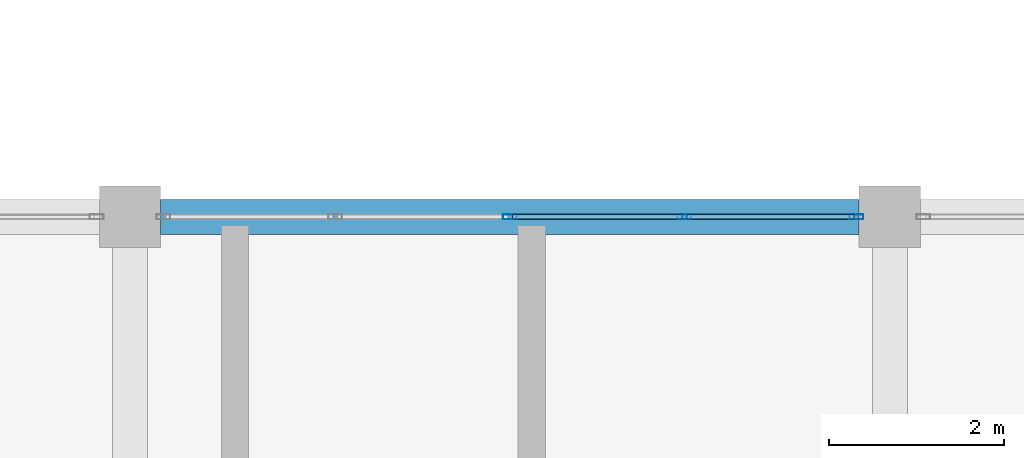
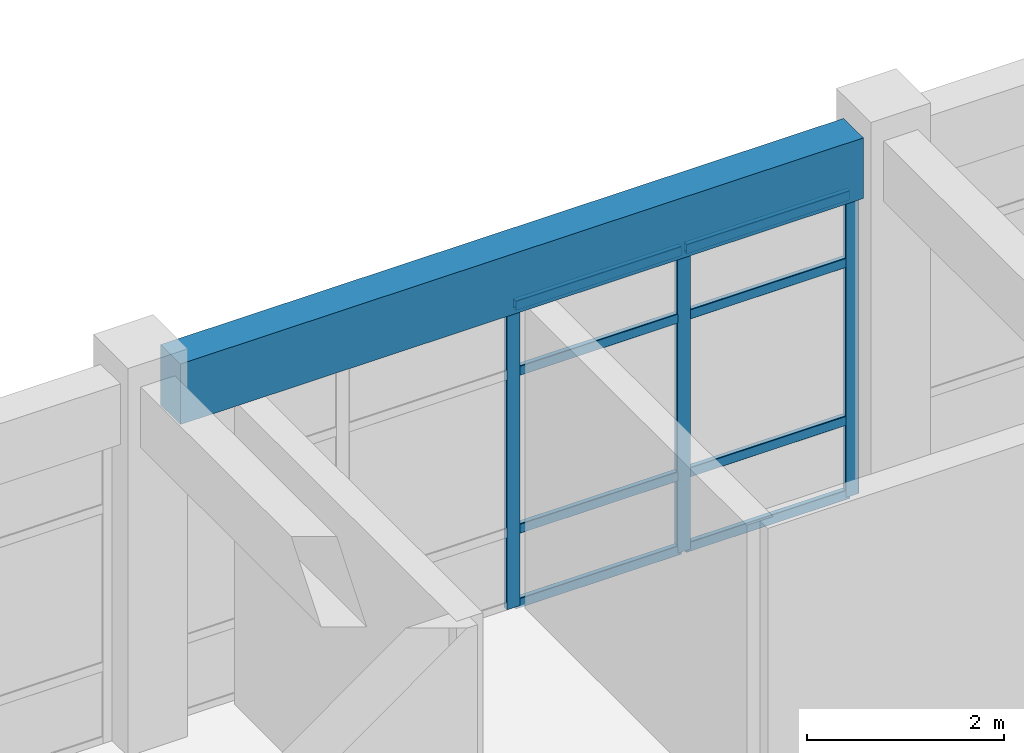
# One storey, part 35 of 64: 11 members, 1 beam, 1 element without a shape of its own.
"""IFC4 building model written with IfcOpenShell, lengths in metres."""

from ifc_helpers import new_model, si_unit, derived_unit, direction, frame, origin, origin_2d, place, context, subcontext, project, spatial, rectangle, hollow_rectangle, extrude, material, layer, layer_set, material_profile, profile_set, type_object, element, aggregate, save


model = new_model("IFC4")

# Units and contexts
model_context = context("Model", 3, precision=1e-05, world=origin(), true_north=direction((0.0, 1.0)))
body_context = subcontext(model_context, "Body", "Model", "MODEL_VIEW")
ifc_project = project(units=[si_unit("LENGTHUNIT", "METRE"), si_unit("AREAUNIT", "SQUARE_METRE"), si_unit("VOLUMEUNIT", "CUBIC_METRE"), si_unit("PLANEANGLEUNIT", "RADIAN"), si_unit("MASSUNIT", "GRAM", prefix="KILO"), derived_unit("THERMALTRANSMITTANCEUNIT", [(si_unit("MASSUNIT", "GRAM", prefix="KILO"), 1), (si_unit("TIMEUNIT", "SECOND"), -3), (si_unit("THERMODYNAMICTEMPERATUREUNIT", "KELVIN"), -1)])], contexts=[model_context])

# Site, building, storey
site_placement = place(None, origin())
site = spatial("IfcSite", under=ifc_project, at=site_placement, CompositionType="ELEMENT")
building_placement = place(site_placement, origin())
building = spatial("IfcBuilding", under=site, at=building_placement, Name="Qinzheling Arcade Emporium", CompositionType="ELEMENT")
storey_placement = place(building_placement, frame((0.0, 0.0, 31.5)))
storey = spatial("IfcBuildingStorey", under=building, at=storey_placement, Name="L07", CompositionType="ELEMENT", Elevation=31.5)

# Curtain wall, members
ifc_material_1 = material(Name="Anodised aluminium and solar-control double glazing", Category="aluminium")
ifc_layer = layer(ifc_material_1, 0.159912109375, Name="Anodised aluminium and solar-control double glazing", Category="aluminium")
ifc_layer_set = layer_set([ifc_layer], Name="Anodised aluminium and solar-control double glazing")
curtain_wall_type = type_object("IfcCurtainWallType", Name="Atrium Clerestory Curtain Wall", PredefinedType="NOTDEFINED", material=ifc_layer_set)
curtain_wall_placement = place(storey_placement, origin())
curtain_wall = element("IfcCurtainWall", 1, at=curtain_wall_placement, inside=storey, type_object=curtain_wall_type, Name="Curtain Wall CW-L07-422", PredefinedType="NOTDEFINED")
ifc_material_2 = material(Name="Anodised aluminium 6063-T6", Category="aluminium")
ifc_material_profile_1 = material_profile(ifc_material_2, hollow_rectangle(XDim=0.06005859375, YDim=0.159912109375, WallThickness=0.00390625, InnerFilletRadius=0.00390625, OuterFilletRadius=0.008056640625, at=origin_2d()), Name="RHS 160x60x4", Category="aluminium")
ifc_profile_set_1 = profile_set([ifc_material_profile_1], Name="Anodised aluminium 6063-T6")
member_type_1 = type_object("IfcMemberType", Name="Curtain Wall Mullion RHS160x60", PredefinedType="MULLION", material=ifc_profile_set_1)
member_1_placement = place(storey_placement, frame((91.35009765625, 73.800048828125, 0.0), z_axis=(0.0, 0.0, 1.0), x_axis=(0.0, 1.0, 0.0)))
member_1 = element("IfcMember", 2, at=member_1_placement, type_object=member_type_1, Name="CW03 mullion 3", PredefinedType="MULLION", context=body_context, shape_type="SweptSolid", body=[
    extrude(hollow_rectangle(XDim=0.06005859375, YDim=0.159912109375, WallThickness=0.00390625, InnerFilletRadius=0.00390625, OuterFilletRadius=0.008056640625, at=origin_2d()), origin(), (0.0, 0.0, 1.0), 3.7548828125),
])
member_2_placement = place(storey_placement, frame((93.34912109375, 73.800048828125, 0.0), z_axis=(0.0, 0.0, 1.0), x_axis=(0.0, 1.0, 0.0)))
member_2 = element("IfcMember", 3, at=member_2_placement, type_object=member_type_1, Name="CW03 mullion 4", PredefinedType="MULLION", context=body_context, shape_type="SweptSolid", body=[
    extrude(hollow_rectangle(XDim=0.06005859375, YDim=0.159912109375, WallThickness=0.00390625, InnerFilletRadius=0.00390625, OuterFilletRadius=0.008056640625, at=origin_2d()), origin(), (0.0, 0.0, 1.0), 3.7548828125),
])
member_3_placement = place(storey_placement, frame((95.318115234375, 73.800048828125, 0.0), z_axis=(0.0, 0.0, 1.0), x_axis=(0.0, 1.0, 0.0)))
member_3 = element("IfcMember", 4, at=member_3_placement, type_object=member_type_1, Name="CW03 mullion 5", PredefinedType="MULLION", context=body_context, shape_type="SweptSolid", body=[
    extrude(hollow_rectangle(XDim=0.06005859375, YDim=0.159912109375, WallThickness=0.00390625, InnerFilletRadius=0.00390625, OuterFilletRadius=0.008056640625, at=origin_2d()), origin(), (0.0, 0.0, 1.0), 3.7548828125),
])
ifc_material_profile_2 = material_profile(ifc_material_2, hollow_rectangle(XDim=0.06005859375, YDim=0.1201171875, WallThickness=0.00390625, InnerFilletRadius=0.00390625, OuterFilletRadius=0.008056640625, at=origin_2d()), Name="RHS 120x60x4", Category="aluminium")
ifc_profile_set_2 = profile_set([ifc_material_profile_2], Name="Anodised aluminium 6063-T6")
member_type_2 = type_object("IfcMemberType", Name="Curtain Wall Transom RHS120x60", PredefinedType="USERDEFINED", material=ifc_profile_set_2)
member_4_placement = place(storey_placement, frame((91.3798828125, 73.800048828125, 0.030029296875), z_axis=(1.0, 0.0, 0.0), x_axis=(0.0, 1.0, 0.0)))
member_4 = element("IfcMember", 5, at=member_4_placement, type_object=member_type_2, Name="CW03 transom 3.1", ObjectType="TRANSOM", PredefinedType="USERDEFINED", context=body_context, shape_type="SweptSolid", body=[
    extrude(hollow_rectangle(XDim=0.06005859375, YDim=0.1201171875, WallThickness=0.00390625, InnerFilletRadius=0.00390625, OuterFilletRadius=0.008056640625, at=origin_2d()), origin(), (0.0, 0.0, 1.0), 1.939208984375),
])
member_5_placement = place(storey_placement, frame((91.3798828125, 73.800048828125, 0.949951171875), z_axis=(1.0, 0.0, 0.0), x_axis=(0.0, 1.0, 0.0)))
member_5 = element("IfcMember", 6, at=member_5_placement, type_object=member_type_2, Name="CW03 transom 3.2", ObjectType="TRANSOM", PredefinedType="USERDEFINED", context=body_context, shape_type="SweptSolid", body=[
    extrude(hollow_rectangle(XDim=0.06005859375, YDim=0.1201171875, WallThickness=0.00390625, InnerFilletRadius=0.00390625, OuterFilletRadius=0.008056640625, at=origin_2d()), origin(), (0.0, 0.0, 1.0), 1.939208984375),
])
member_6_placement = place(storey_placement, frame((91.3798828125, 73.800048828125, 2.905029296875), z_axis=(1.0, 0.0, 0.0), x_axis=(0.0, 1.0, 0.0)))
member_6 = element("IfcMember", 7, at=member_6_placement, type_object=member_type_2, Name="CW03 transom 3.3", ObjectType="TRANSOM", PredefinedType="USERDEFINED", context=body_context, shape_type="SweptSolid", body=[
    extrude(hollow_rectangle(XDim=0.06005859375, YDim=0.1201171875, WallThickness=0.00390625, InnerFilletRadius=0.00390625, OuterFilletRadius=0.008056640625, at=origin_2d()), origin(), (0.0, 0.0, 1.0), 1.939208984375),
])
member_7_placement = place(storey_placement, frame((91.3798828125, 73.800048828125, 3.72509765625), z_axis=(1.0, 0.0, 0.0), x_axis=(0.0, 1.0, 0.0)))
member_7 = element("IfcMember", 8, at=member_7_placement, type_object=member_type_2, Name="CW03 transom 3.4", ObjectType="TRANSOM", PredefinedType="USERDEFINED", context=body_context, shape_type="SweptSolid", body=[
    extrude(hollow_rectangle(XDim=0.06005859375, YDim=0.1201171875, WallThickness=0.00390625, InnerFilletRadius=0.00390625, OuterFilletRadius=0.008056640625, at=origin_2d()), origin(), (0.0, 0.0, 1.0), 1.939208984375),
])
member_8_placement = place(storey_placement, frame((93.37890625, 73.800048828125, 0.030029296875), z_axis=(1.0, 0.0, 0.0), x_axis=(0.0, 1.0, 0.0)))
member_8 = element("IfcMember", 9, at=member_8_placement, type_object=member_type_2, Name="CW03 transom 4.1", ObjectType="TRANSOM", PredefinedType="USERDEFINED", context=body_context, shape_type="SweptSolid", body=[
    extrude(hollow_rectangle(XDim=0.06005859375, YDim=0.1201171875, WallThickness=0.00390625, InnerFilletRadius=0.00390625, OuterFilletRadius=0.008056640625, at=origin_2d()), origin(), (0.0, 0.0, 1.0), 1.9091796875),
])
member_9_placement = place(storey_placement, frame((93.37890625, 73.800048828125, 0.949951171875), z_axis=(1.0, 0.0, 0.0), x_axis=(0.0, 1.0, 0.0)))
member_9 = element("IfcMember", 10, at=member_9_placement, type_object=member_type_2, Name="CW03 transom 4.2", ObjectType="TRANSOM", PredefinedType="USERDEFINED", context=body_context, shape_type="SweptSolid", body=[
    extrude(hollow_rectangle(XDim=0.06005859375, YDim=0.1201171875, WallThickness=0.00390625, InnerFilletRadius=0.00390625, OuterFilletRadius=0.008056640625, at=origin_2d()), origin(), (0.0, 0.0, 1.0), 1.9091796875),
])
member_10_placement = place(storey_placement, frame((93.37890625, 73.800048828125, 2.905029296875), z_axis=(1.0, 0.0, 0.0), x_axis=(0.0, 1.0, 0.0)))
member_10 = element("IfcMember", 11, at=member_10_placement, type_object=member_type_2, Name="CW03 transom 4.3", ObjectType="TRANSOM", PredefinedType="USERDEFINED", context=body_context, shape_type="SweptSolid", body=[
    extrude(hollow_rectangle(XDim=0.06005859375, YDim=0.1201171875, WallThickness=0.00390625, InnerFilletRadius=0.00390625, OuterFilletRadius=0.008056640625, at=origin_2d()), origin(), (0.0, 0.0, 1.0), 1.9091796875),
])
member_11_placement = place(storey_placement, frame((93.37890625, 73.800048828125, 3.72509765625), z_axis=(1.0, 0.0, 0.0), x_axis=(0.0, 1.0, 0.0)))
member_11 = element("IfcMember", 12, at=member_11_placement, type_object=member_type_2, Name="CW03 transom 4.4", ObjectType="TRANSOM", PredefinedType="USERDEFINED", context=body_context, shape_type="SweptSolid", body=[
    extrude(hollow_rectangle(XDim=0.06005859375, YDim=0.1201171875, WallThickness=0.00390625, InnerFilletRadius=0.00390625, OuterFilletRadius=0.008056640625, at=origin_2d()), origin(), (0.0, 0.0, 1.0), 1.9091796875),
])
aggregate(curtain_wall, [member_1, member_2, member_3, member_4, member_5, member_6, member_7, member_8, member_9, member_10, member_11])

# Beam
ifc_material_3 = material(Name="Concrete C40", Category="concrete")
ifc_material_profile_3 = material_profile(ifc_material_3, rectangle(XDim=0.39990234375, YDim=0.75, at=origin_2d()), Name="RC 400x750", Category="concrete")
ifc_profile_set_3 = profile_set([ifc_material_profile_3], Name="Concrete C40")
beam_type = type_object("IfcBeamType", Name="RC Interior Tie Beam 400x750 C40", PredefinedType="BEAM", material=ifc_profile_set_3)
beam_placement = place(storey_placement, frame((87.35009765625, 73.800048828125, 4.14501953125), z_axis=(1.0, 0.0, 0.0), x_axis=(0.0, 1.0, 0.0)))
element("IfcBeam", 13, at=beam_placement, inside=storey, type_object=beam_type, Name="Beam BM-L07-X-J-11", PredefinedType="BEAM", context=body_context, shape_type="SweptSolid", body=[
    extrude(rectangle(XDim=0.39990234375, YDim=0.75, at=origin_2d()), origin(), (0.0, 0.0, 1.0), 8.0),
])

save(model, "model.ifc")
